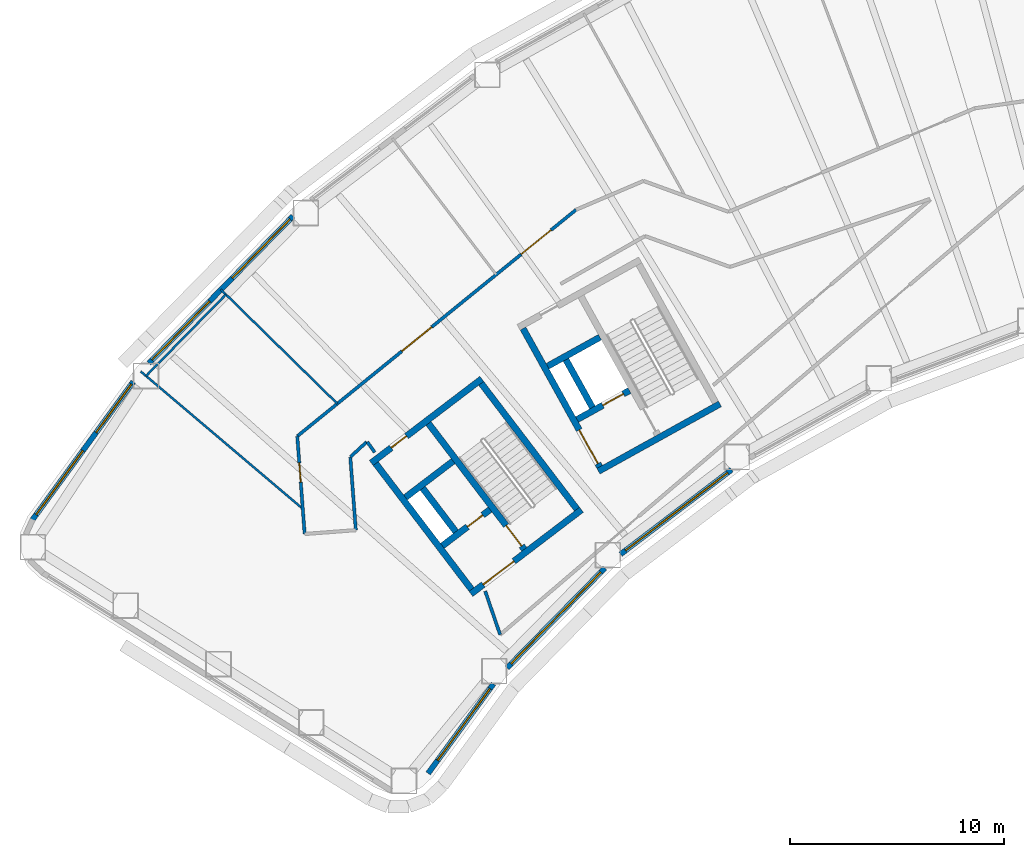
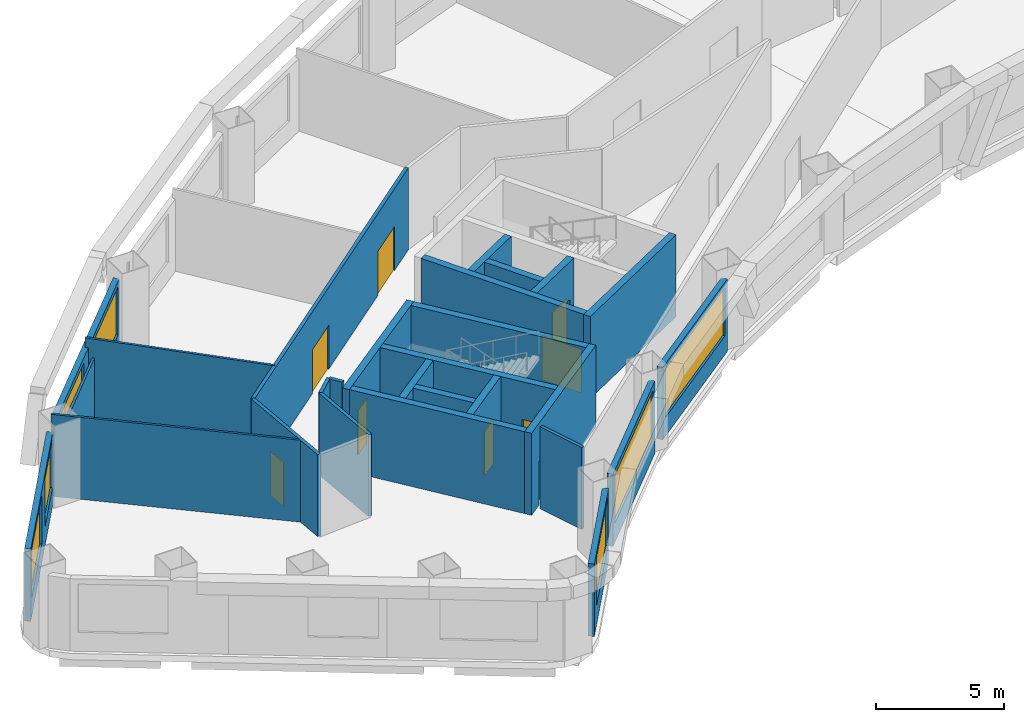
# One storey, part 3 of 11: 27 walls, 9 doors, 7 windows, 16 openings.
"""IFC4 building model written with IfcOpenShell, lengths in metres."""

from ifc_helpers import new_model, si_unit, direction, frame, frame_2d, origin, place, context, subcontext, project, spatial, rectangle, extrude, material, layer, layer_set, type_object, element, fill, save


model = new_model("IFC4")

# Units and contexts
model_context = context("Model", 3, precision=1e-05, world=origin(), true_north=direction((0.0, 1.0)))
body_context = subcontext(model_context, "Body", "Model", "MODEL_VIEW")
ifc_project = project(units=[si_unit("LENGTHUNIT", "METRE"), si_unit("AREAUNIT", "SQUARE_METRE"), si_unit("VOLUMEUNIT", "CUBIC_METRE"), si_unit("PLANEANGLEUNIT", "RADIAN"), si_unit("MASSUNIT", "GRAM", prefix="KILO")], contexts=[model_context])

# Site, building, storey
site_placement = place(None, origin())
site = spatial("IfcSite", under=ifc_project, at=site_placement, CompositionType="ELEMENT")
building_placement = place(site_placement, origin())
building = spatial("IfcBuilding", under=site, at=building_placement, Name="Tuul Gate Civic Tower", CompositionType="ELEMENT")
storey_placement = place(building_placement, frame((0.0, 0.0, 69.60009765625)))
storey = spatial("IfcBuildingStorey", under=building, at=storey_placement, Name="Level 15", CompositionType="ELEMENT", Elevation=69.60009765625)

# Wall, opening, door
ifc_material_1 = material(Name="Concrete C50/60", Category="concrete")
ifc_layer_1 = layer(ifc_material_1, 0.300048828125)
ifc_layer_set_1 = layer_set([ifc_layer_1], Name="Concrete C50/60")
wall_type_1 = type_object("IfcWallType", Name="Core wall C50/60", PredefinedType="SHEAR", material=ifc_layer_set_1)
wall_1_placement = place(storey_placement, frame((-31.19091796875, -13.669677734375, 0.0), z_axis=(0.0, 0.0, 1.0), x_axis=(-0.795606717756, -0.605813461934, 0.0)))
wall_1 = element("IfcWall", 1, at=wall_1_placement, inside=storey, type_object=wall_type_1, Name="Core wall", PredefinedType="SHEAR", context=body_context, shape_type="SweptSolid", body=[
    extrude(rectangle(XDim=6.5, YDim=0.300048828125, at=frame_2d((3.25, 0.0))), origin(), (0.0, 0.0, 1.0), 3.89990234375),
])
opening_1_placement = place(wall_1_placement, frame((3.97509765625, 0.0, 0.0)))
opening_1 = element("IfcOpeningElement", 2, at=opening_1_placement, cuts=wall_1, Name="Opening LB-W1-LOBBY-1", PredefinedType="OPENING", context=body_context, shape_type="SweptSolid", body=[
    extrude(rectangle(XDim=1.800048828125, YDim=2.10009765625, at=frame_2d((0.89990234375, 1.050048828125))), frame((0.0, 0.16015625, 0.0), z_axis=(0.0, -1.0, 0.0), x_axis=(1.0, 0.0, 0.0)), (0.0, 0.0, 1.0), 0.320068359375),
])
ifc_material_2 = material(Name="Steel", Category="steel")
door_type_1 = type_object("IfcDoorType", Name="Lobby door", OperationType="DOUBLE_DOOR_SINGLE_SWING", PredefinedType="DOOR", material=ifc_material_2)
door_1_placement = place(opening_1_placement, origin())
door_1 = element("IfcDoor", 3, at=door_1_placement, inside=storey, type_object=door_type_1, Name="Lobby door W1-LOBBY", OperationType="DOUBLE_DOOR_SINGLE_SWING", OverallHeight=2.10009765625, OverallWidth=1.800048828125, PredefinedType="DOOR", context=body_context, shape_type="SweptSolid", body=[
    extrude(rectangle(XDim=1.800048828125, YDim=2.10009765625, at=frame_2d((0.89990234375, 1.050048828125))), frame((0.0, 0.02490234375, 0.0), z_axis=(0.0, -1.0, 0.0), x_axis=(1.0, 0.0, 0.0)), (0.0, 0.0, 1.0), 0.050048828125),
])
fill(opening_1, door_1)

wall_2_placement = place(storey_placement, frame((-35.470947265625, -13.66064453125, 0.0), z_axis=(0.0, 0.0, 1.0), x_axis=(-0.795615822227, -0.605801504968, 0.0)))
wall_2 = element("IfcWall", 4, at=wall_2_placement, inside=storey, type_object=wall_type_1, Name="Core wall", PredefinedType="SHEAR", context=body_context, shape_type="SweptSolid", body=[
    extrude(rectangle(XDim=2.800048828125, YDim=0.300048828125, at=frame_2d((1.39990234375, 0.0))), origin(), (0.0, 0.0, 1.0), 3.89990234375),
])
opening_2_placement = place(wall_2_placement, frame((0.425048828125, 0.0, 0.0)))
opening_2 = element("IfcOpeningElement", 5, at=opening_2_placement, cuts=wall_2, Name="Opening FB-W1A1", PredefinedType="OPENING", context=body_context, shape_type="SweptSolid", body=[
    extrude(rectangle(XDim=0.89990234375, YDim=2.10009765625, at=frame_2d((0.449951171875, 1.050048828125))), frame((0.0, 0.16015625, 0.0), z_axis=(0.0, -1.0, 0.0), x_axis=(1.0, 0.0, 0.0)), (0.0, 0.0, 1.0), 0.320068359375),
])
ifc_material_3 = material(Name="Steel", Category="steel")
door_type_2 = type_object("IfcDoorType", Name="Store door", OperationType="NOTDEFINED", PredefinedType="DOOR", material=ifc_material_3)
door_2_placement = place(opening_2_placement, frame((0.89990234375, 0.0, 0.0), z_axis=(0.0, 0.0, 1.0), x_axis=(-1.0, 0.0, 0.0)))
door_2 = element("IfcDoor", 6, at=door_2_placement, inside=storey, type_object=door_type_2, Name="Store door W1A1", OperationType="SINGLE_SWING_RIGHT", OverallHeight=2.10009765625, OverallWidth=0.89990234375, PredefinedType="DOOR", context=body_context, shape_type="SweptSolid", body=[
    extrude(rectangle(XDim=0.89990234375, YDim=2.10009765625, at=frame_2d((0.449951171875, 1.050048828125))), frame((0.0, 0.02490234375, 0.0), z_axis=(0.0, -1.0, 0.0), x_axis=(1.0, 0.0, 0.0)), (0.0, 0.0, 1.0), 0.050048828125),
])
fill(opening_2, door_2)

# Wall
wall_3_placement = place(storey_placement, frame((-37.197509765625, -11.39306640625, 0.0), z_axis=(0.0, 0.0, 1.0), x_axis=(-0.795583820278, -0.605843531707, 0.0)))
element("IfcWall", 7, at=wall_3_placement, inside=storey, type_object=wall_type_1, Name="Core wall", PredefinedType="SHEAR", context=body_context, shape_type="SweptSolid", body=[
    extrude(rectangle(XDim=2.7998046875, YDim=0.300048828125, at=frame_2d((1.39990234375, 0.0))), origin(), (0.0, 0.0, 1.0), 3.89990234375),
])

# Wall, opening, door
wall_4_placement = place(storey_placement, frame((-35.855224609375, -7.543212890625, 0.0), z_axis=(0.0, 0.0, 1.0), x_axis=(-0.79563860527, -0.605771582202, 0.0)))
wall_4 = element("IfcWall", 8, at=wall_4_placement, inside=storey, type_object=wall_type_1, Name="Core wall", PredefinedType="SHEAR", context=body_context, shape_type="SweptSolid", body=[
    extrude(rectangle(XDim=6.5, YDim=0.300048828125, at=frame_2d((3.25, 0.0))), origin(), (0.0, 0.0, 1.0), 3.89990234375),
])
opening_3_placement = place(wall_4_placement, frame((4.425048828125, 0.0, 0.0)))
opening_3 = element("IfcOpeningElement", 9, at=opening_3_placement, cuts=wall_4, Name="Opening D-D22", PredefinedType="OPENING", context=body_context, shape_type="SweptSolid", body=[
    extrude(rectangle(XDim=0.89990234375, YDim=2.10009765625, at=frame_2d((0.449951171875, 1.050048828125))), frame((0.0, 0.16015625, 0.0), z_axis=(0.0, -1.0, 0.0), x_axis=(1.0, 0.0, 0.0)), (0.0, 0.0, 1.0), 0.320068359375),
])
ifc_material_4 = material(Name="Timber door leaf", Category="wood")
door_type_3 = type_object("IfcDoorType", Name="Door D09", OperationType="NOTDEFINED", PredefinedType="DOOR", material=ifc_material_4)
door_3_placement = place(opening_3_placement, origin())
door_3 = element("IfcDoor", 10, at=door_3_placement, inside=storey, type_object=door_type_3, Name="Door D-D22", OperationType="SINGLE_SWING_LEFT", OverallHeight=2.10009765625, OverallWidth=0.89990234375, PredefinedType="DOOR", context=body_context, shape_type="SweptSolid", body=[
    extrude(rectangle(XDim=0.89990234375, YDim=2.10009765625, at=frame_2d((0.449951171875, 1.050048828125))), frame((0.0, 0.02490234375, 0.0), z_axis=(0.0, -1.0, 0.0), x_axis=(1.0, 0.0, 0.0)), (0.0, 0.0, 1.0), 0.050048828125),
])
fill(opening_3, door_3)

# Wall
wall_5_placement = place(storey_placement, frame((-31.401123046875, -13.64111328125, 0.0), z_axis=(0.0, 0.0, 1.0), x_axis=(-0.605769822278, 0.795639945213, 0.0)))
element("IfcWall", 11, at=wall_5_placement, inside=storey, type_object=wall_type_1, Name="Core wall", PredefinedType="SHEAR", context=body_context, shape_type="SweptSolid", body=[
    extrude(rectangle(XDim=7.39990234375, YDim=0.300048828125, at=frame_2d((3.699951171875, 0.0))), origin(), (0.0, 0.0, 1.0), 3.89990234375),
])

# Wall, opening, door
wall_6_placement = place(storey_placement, frame((-33.867431640625, -15.51904296875, 0.0), z_axis=(0.0, 0.0, 1.0), x_axis=(-0.605769822278, 0.795639945213, 0.0)))
wall_6 = element("IfcWall", 12, at=wall_6_placement, inside=storey, type_object=wall_type_1, Name="Core wall", PredefinedType="SHEAR", context=body_context, shape_type="SweptSolid", body=[
    extrude(rectangle(XDim=7.39990234375, YDim=0.300048828125, at=frame_2d((3.699951171875, 0.0))), origin(), (0.0, 0.0, 1.0), 3.89990234375),
])
opening_4_placement = place(wall_6_placement, frame((0.199951171875, 0.0, 0.0)))
opening_4 = element("IfcOpeningElement", 13, at=opening_4_placement, cuts=wall_6, Name="Opening SD-ST-1", PredefinedType="OPENING", context=body_context, shape_type="SweptSolid", body=[
    extrude(rectangle(XDim=1.199951171875, YDim=2.10009765625, at=frame_2d((0.60009765625, 1.050048828125))), frame((0.0, 0.16015625, 0.0), z_axis=(0.0, -1.0, 0.0), x_axis=(1.0, 0.0, 0.0)), (0.0, 0.0, 1.0), 0.320068359375),
])
ifc_material_5 = material(Name="Steel", Category="steel")
door_type_4 = type_object("IfcDoorType", Name="Stair door", OperationType="NOTDEFINED", PredefinedType="DOOR", material=ifc_material_5)
door_4_placement = place(opening_4_placement, origin())
door_4 = element("IfcDoor", 14, at=door_4_placement, inside=storey, type_object=door_type_4, Name="Stair door ST-1", OperationType="SINGLE_SWING_LEFT", OverallHeight=2.10009765625, OverallWidth=1.199951171875, PredefinedType="DOOR", context=body_context, shape_type="SweptSolid", body=[
    extrude(rectangle(XDim=1.199951171875, YDim=2.10009765625, at=frame_2d((0.60009765625, 1.050048828125))), frame((0.0, 0.02490234375, 0.0), z_axis=(0.0, -1.0, 0.0), x_axis=(1.0, 0.0, 0.0)), (0.0, 0.0, 1.0), 0.050048828125),
])
fill(opening_4, door_4)

# Walls
wall_7_placement = place(storey_placement, frame((-37.073486328125, -14.6923828125, 0.0), z_axis=(0.0, 0.0, 1.0), x_axis=(-0.605728760074, 0.79567120673, 0.0)))
element("IfcWall", 15, at=wall_7_placement, inside=storey, type_object=wall_type_1, Name="Core wall", PredefinedType="SHEAR", context=body_context, shape_type="SweptSolid", body=[
    extrude(rectangle(XDim=2.550048828125, YDim=0.300048828125, at=frame_2d((1.27490234375, 0.0))), origin(), (0.0, 0.0, 1.0), 3.89990234375),
])
wall_8_placement = place(storey_placement, frame((-36.333984375, -17.397216796875, 0.0), z_axis=(0.0, 0.0, 1.0), x_axis=(-0.605753921168, 0.795652051458, 0.0)))
element("IfcWall", 16, at=wall_8_placement, inside=storey, type_object=wall_type_1, Name="Core wall", PredefinedType="SHEAR", context=body_context, shape_type="SweptSolid", body=[
    extrude(rectangle(XDim=7.400146484375, YDim=0.300048828125, at=frame_2d((3.7001953125, 0.0))), origin(), (0.0, 0.0, 1.0), 3.89990234375),
])
wall_9_placement = place(storey_placement, frame((-24.711669921875, -8.7158203125, 0.0), z_axis=(0.0, 0.0, 1.0), x_axis=(-0.874629909008, -0.484791215132, 0.0)))
element("IfcWall", 17, at=wall_9_placement, inside=storey, type_object=wall_type_1, Name="Core wall", PredefinedType="SHEAR", context=body_context, shape_type="SweptSolid", body=[
    extrude(rectangle(XDim=6.5, YDim=0.300048828125, at=frame_2d((3.25, 0.0))), origin(), (0.0, 0.0, 1.0), 3.89990234375),
])

# Wall, opening, door
wall_10_placement = place(storey_placement, frame((-28.94580078125, -8.090087890625, 0.0), z_axis=(0.0, 0.0, 1.0), x_axis=(-0.874629840737, -0.484791338301, 0.0)))
wall_10 = element("IfcWall", 18, at=wall_10_placement, inside=storey, type_object=wall_type_1, Name="Core wall", PredefinedType="SHEAR", context=body_context, shape_type="SweptSolid", body=[
    extrude(rectangle(XDim=2.800048828125, YDim=0.300048828125, at=frame_2d((1.39990234375, 0.0))), origin(), (0.0, 0.0, 1.0), 3.89990234375),
])
opening_5_placement = place(wall_10_placement, frame((0.324951171875, 0.0, 0.0)))
opening_5 = element("IfcOpeningElement", 19, at=opening_5_placement, cuts=wall_10, Name="Opening LD-FF-1", PredefinedType="OPENING", context=body_context, shape_type="SweptSolid", body=[
    extrude(rectangle(XDim=1.10009765625, YDim=2.10009765625, at=frame_2d((0.550048828125, 1.050048828125))), frame((0.0, 0.16015625, 0.0), z_axis=(0.0, -1.0, 0.0), x_axis=(1.0, 0.0, 0.0)), (0.0, 0.0, 1.0), 0.320068359375),
])
ifc_material_6 = material(Name="Stainless steel", Category="steel")
door_type_5 = type_object("IfcDoorType", Name="Landing door", OperationType="DOUBLE_DOOR_SLIDING", PredefinedType="DOOR", material=ifc_material_6)
door_5_placement = place(opening_5_placement, origin())
door_5 = element("IfcDoor", 20, at=door_5_placement, inside=storey, type_object=door_type_5, Name="Fire-fighting lift FF-1 landing door", OperationType="DOUBLE_DOOR_SLIDING", OverallHeight=2.10009765625, OverallWidth=1.10009765625, PredefinedType="DOOR", context=body_context, shape_type="SweptSolid", body=[
    extrude(rectangle(XDim=1.10009765625, YDim=2.10009765625, at=frame_2d((0.550048828125, 1.050048828125))), frame((0.0, 0.02490234375, 0.0), z_axis=(0.0, -1.0, 0.0), x_axis=(1.0, 0.0, 0.0)), (0.0, 0.0, 1.0), 0.050048828125),
])
fill(opening_5, door_5)

# Walls
wall_11_placement = place(storey_placement, frame((-30.327392578125, -5.59716796875, 0.0), z_axis=(0.0, 0.0, 1.0), x_axis=(-0.874629840737, -0.484791338301, 0.0)))
element("IfcWall", 21, at=wall_11_placement, inside=storey, type_object=wall_type_1, Name="Core wall", PredefinedType="SHEAR", context=body_context, shape_type="SweptSolid", body=[
    extrude(rectangle(XDim=2.800048828125, YDim=0.300048828125, at=frame_2d((1.39990234375, 0.0))), origin(), (0.0, 0.0, 1.0), 3.89990234375),
])
wall_12_placement = place(storey_placement, frame((-30.680419921875, -8.8798828125, 0.0), z_axis=(0.0, 0.0, 1.0), x_axis=(-0.484724115216, 0.874667097888, 0.0)))
element("IfcWall", 22, at=wall_12_placement, inside=storey, type_object=wall_type_1, Name="Core wall", PredefinedType="SHEAR", context=body_context, shape_type="SweptSolid", body=[
    extrude(rectangle(XDim=2.550048828125, YDim=0.300048828125, at=frame_2d((1.27490234375, 0.0))), origin(), (0.0, 0.0, 1.0), 3.89990234375),
])

# Wall, opening, door
wall_13_placement = place(storey_placement, frame((-30.33837890625, -11.6630859375, 0.0), z_axis=(0.0, 0.0, 1.0), x_axis=(-0.484751894226, 0.874651702704, 0.0)))
wall_13 = element("IfcWall", 23, at=wall_13_placement, inside=storey, type_object=wall_type_1, Name="Core wall", PredefinedType="SHEAR", context=body_context, shape_type="SweptSolid", body=[
    extrude(rectangle(XDim=7.39990234375, YDim=0.300048828125, at=frame_2d((3.699951171875, 0.0))), origin(), (0.0, 0.0, 1.0), 3.89990234375),
])
opening_6_placement = place(wall_13_placement, frame((0.175048828125, 0.0, 0.0)))
opening_6 = element("IfcOpeningElement", 24, at=opening_6_placement, cuts=wall_13, Name="Opening LB-W2-FLOBBY-1", PredefinedType="OPENING", context=body_context, shape_type="SweptSolid", body=[
    extrude(rectangle(XDim=1.800048828125, YDim=2.10009765625, at=frame_2d((0.89990234375, 1.050048828125))), frame((0.0, 0.16015625, 0.0), z_axis=(0.0, -1.0, 0.0), x_axis=(1.0, 0.0, 0.0)), (0.0, 0.0, 1.0), 0.320068359375),
])
door_6_placement = place(opening_6_placement, origin())
door_6 = element("IfcDoor", 25, at=door_6_placement, inside=storey, type_object=door_type_1, Name="Lobby door W2-FLOBBY", OperationType="DOUBLE_DOOR_SINGLE_SWING", OverallHeight=2.10009765625, OverallWidth=1.800048828125, PredefinedType="DOOR", context=body_context, shape_type="SweptSolid", body=[
    extrude(rectangle(XDim=1.800048828125, YDim=2.10009765625, at=frame_2d((0.89990234375, 1.050048828125))), frame((0.0, 0.02490234375, 0.0), z_axis=(0.0, -1.0, 0.0), x_axis=(1.0, 0.0, 0.0)), (0.0, 0.0, 1.0), 0.050048828125),
])
fill(opening_6, door_6)

# Wall, openings, doors
ifc_material_7 = material(Name="Gypsum board partition")
ifc_layer_2 = layer(ifc_material_7, 0.14990234375)
ifc_layer_set_2 = layer_set([ifc_layer_2], Name="Gypsum board partition")
wall_type_2 = type_object("IfcWallType", Name="Corridor wall P150", PredefinedType="PARTITIONING", material=ifc_layer_set_2)
wall_14_placement = place(storey_placement, frame((-44.48828125, -10.22802734375, 0.0), z_axis=(0.0, 0.0, 1.0), x_axis=(0.776130444, 0.630572385929, 0.0)))
wall_14 = element("IfcWall", 26, at=wall_14_placement, inside=storey, type_object=wall_type_2, Name="p034", PredefinedType="PARTITIONING", context=body_context, shape_type="SweptSolid", body=[
    extrude(rectangle(XDim=16.802978515625, YDim=0.14990234375, at=frame_2d((8.4013671875, 0.0))), origin(), (0.0, 0.0, 1.0), 3.89990234375),
])
opening_7_placement = place(wall_14_placement, frame((13.49609375, 0.0, 0.0)))
opening_7 = element("IfcOpeningElement", 27, at=opening_7_placement, cuts=wall_14, Name="Opening D-D10", PredefinedType="OPENING", context=body_context, shape_type="SweptSolid", body=[
    extrude(rectangle(XDim=1.800048828125, YDim=2.10009765625, at=frame_2d((0.89990234375, 1.050048828125))), frame((0.0, 0.0849609375, 0.0), z_axis=(0.0, -1.0, 0.0), x_axis=(1.0, 0.0, 0.0)), (0.0, 0.0, 1.0), 0.169921875),
])
opening_8_placement = place(wall_14_placement, frame((6.3017578125, 0.0, 0.0)))
opening_8 = element("IfcOpeningElement", 28, at=opening_8_placement, cuts=wall_14, Name="Opening D-D11", PredefinedType="OPENING", context=body_context, shape_type="SweptSolid", body=[
    extrude(rectangle(XDim=1.800048828125, YDim=2.10009765625, at=frame_2d((0.89990234375, 1.050048828125))), frame((0.0, 0.0849609375, 0.0), z_axis=(0.0, -1.0, 0.0), x_axis=(1.0, 0.0, 0.0)), (0.0, 0.0, 1.0), 0.169921875),
])
ifc_material_8 = material(Name="Timber door leaf, double", Category="wood")
door_type_6 = type_object("IfcDoorType", Name="Door D18", OperationType="DOUBLE_DOOR_SINGLE_SWING", PredefinedType="DOOR", material=ifc_material_8)
door_7_placement = place(opening_7_placement, origin())
door_7 = element("IfcDoor", 29, at=door_7_placement, inside=storey, type_object=door_type_6, Name="Door D-D10", OperationType="DOUBLE_DOOR_SINGLE_SWING", OverallHeight=2.10009765625, OverallWidth=1.800048828125, PredefinedType="DOOR", context=body_context, shape_type="SweptSolid", body=[
    extrude(rectangle(XDim=1.800048828125, YDim=2.10009765625, at=frame_2d((0.89990234375, 1.050048828125))), frame((0.0, 0.02490234375, 0.0), z_axis=(0.0, -1.0, 0.0), x_axis=(1.0, 0.0, 0.0)), (0.0, 0.0, 1.0), 0.050048828125),
])
fill(opening_7, door_7)
door_8_placement = place(opening_8_placement, origin())
door_8 = element("IfcDoor", 30, at=door_8_placement, inside=storey, type_object=door_type_6, Name="Door D-D11", OperationType="DOUBLE_DOOR_SINGLE_SWING", OverallHeight=2.10009765625, OverallWidth=1.800048828125, PredefinedType="DOOR", context=body_context, shape_type="SweptSolid", body=[
    extrude(rectangle(XDim=1.800048828125, YDim=2.10009765625, at=frame_2d((0.89990234375, 1.050048828125))), frame((0.0, 0.02490234375, 0.0), z_axis=(0.0, -1.0, 0.0), x_axis=(1.0, 0.0, 0.0)), (0.0, 0.0, 1.0), 0.050048828125),
])
fill(opening_8, door_8)

# Wall, opening, door
wall_15_placement = place(storey_placement, frame((-44.48876953125, -10.228759765625, 0.0), z_axis=(0.0, 0.0, 1.0), x_axis=(0.075353514001, -0.997156882305, 0.0)))
wall_15 = element("IfcWall", 31, at=wall_15_placement, inside=storey, type_object=wall_type_2, Name="p037", PredefinedType="PARTITIONING", context=body_context, shape_type="SweptSolid", body=[
    extrude(rectangle(XDim=4.587646484375, YDim=0.14990234375, at=frame_2d((2.2939453125, 0.0))), origin(), (0.0, 0.0, 1.0), 3.89990234375),
])
opening_9_placement = place(wall_15_placement, frame((1.252197265625, 0.0, 0.0)))
opening_9 = element("IfcOpeningElement", 32, at=opening_9_placement, cuts=wall_15, Name="Opening D-D12", PredefinedType="OPENING", context=body_context, shape_type="SweptSolid", body=[
    extrude(rectangle(XDim=0.89990234375, YDim=2.10009765625, at=frame_2d((0.449951171875, 1.050048828125))), frame((0.0, 0.0849609375, 0.0), z_axis=(0.0, -1.0, 0.0), x_axis=(1.0, 0.0, 0.0)), (0.0, 0.0, 1.0), 0.169921875),
])
door_9_placement = place(opening_9_placement, frame((0.89990234375, 0.0, 0.0), z_axis=(0.0, 0.0, 1.0), x_axis=(-1.0, 0.0, 0.0)))
door_9 = element("IfcDoor", 33, at=door_9_placement, inside=storey, type_object=door_type_3, Name="Door D-D12", OperationType="SINGLE_SWING_LEFT", OverallHeight=2.10009765625, OverallWidth=0.89990234375, PredefinedType="DOOR", context=body_context, shape_type="SweptSolid", body=[
    extrude(rectangle(XDim=0.89990234375, YDim=2.10009765625, at=frame_2d((0.449951171875, 1.050048828125))), frame((0.0, 0.02490234375, 0.0), z_axis=(0.0, -1.0, 0.0), x_axis=(1.0, 0.0, 0.0)), (0.0, 0.0, 1.0), 0.050048828125),
])
fill(opening_9, door_9)

# Walls
wall_16_placement = place(storey_placement, frame((-42.00732421875, -11.208740234375, 0.0), z_axis=(0.0, 0.0, 1.0), x_axis=(0.075158670827, -0.99717158714, 0.0)))
element("IfcWall", 34, at=wall_16_placement, inside=storey, type_object=wall_type_2, Name="p052", PredefinedType="PARTITIONING", context=body_context, shape_type="SweptSolid", body=[
    extrude(rectangle(XDim=3.423828125, YDim=0.14990234375, at=frame_2d((1.7119140625, 0.0))), origin(), (0.0, 0.0, 1.0), 3.89990234375),
])
wall_17_placement = place(storey_placement, frame((-42.001220703125, -11.196533203125, 0.0), z_axis=(0.0, 0.0, 1.0), x_axis=(0.734125855073, 0.67901342322, 0.0)))
element("IfcWall", 35, at=wall_17_placement, inside=storey, type_object=wall_type_2, Name="p053", PredefinedType="PARTITIONING", context=body_context, shape_type="SweptSolid", body=[
    extrude(rectangle(XDim=1.03662109375, YDim=0.14990234375, at=frame_2d((0.518310546875, 0.0))), origin(), (0.0, 0.0, 1.0), 3.89990234375),
])
wall_18_placement = place(storey_placement, frame((-41.210205078125, -10.49560546875, 0.0), z_axis=(0.0, 0.0, 1.0), x_axis=(0.577664654884, -0.816274185858, 0.0)))
element("IfcWall", 36, at=wall_18_placement, inside=storey, type_object=wall_type_2, Name="p054", PredefinedType="PARTITIONING", context=body_context, shape_type="SweptSolid", body=[
    extrude(rectangle(XDim=0.595458984375, YDim=0.14990234375, at=frame_2d((0.2978515625, 0.0))), origin(), (0.0, 0.0, 1.0), 3.89990234375),
])
wall_19_placement = place(storey_placement, frame((-35.69580078125, -17.476806640625, 0.0), z_axis=(0.0, 0.0, 1.0), x_axis=(0.32436774189, -0.94593105881, 0.0)))
element("IfcWall", 37, at=wall_19_placement, inside=storey, type_object=wall_type_2, Name="p055", PredefinedType="PARTITIONING", context=body_context, shape_type="SweptSolid", body=[
    extrude(rectangle(XDim=2.156494140625, YDim=0.14990234375, at=frame_2d((1.078125, 0.0))), origin(), (0.0, 0.0, 1.0), 3.89990234375),
])

# Wall, openings, windows
ifc_material_9 = material(Name="Precast concrete C40/50", Category="concrete")
ifc_layer_3 = layer(ifc_material_9, 0.25)
ifc_layer_set_3 = layer_set([ifc_layer_3], Name="Precast concrete C40/50")
wall_type_3 = type_object("IfcWallType", Name="External wall", PredefinedType="STANDARD", material=ifc_layer_set_3)
wall_20_placement = place(storey_placement, frame((-44.68896484375, 0.068359375, 0.0), z_axis=(0.0, 0.0, 1.0), x_axis=(-0.700037194481, -0.714106383072, 0.0)))
wall_20 = element("IfcWall", 38, at=wall_20_placement, inside=storey, type_object=wall_type_3, Name="External wall", PredefinedType="STANDARD", context=body_context, shape_type="SweptSolid", body=[
    extrude(rectangle(XDim=9.630859375, YDim=0.25, at=frame_2d((4.8154296875, 0.0))), origin(), (0.0, 0.0, 1.0), 3.449951171875),
])
opening_10_placement = place(wall_20_placement, frame((0.203125, 0.0, 0.89990234375)))
opening_10 = element("IfcOpeningElement", 39, at=opening_10_placement, cuts=wall_20, Name="Opening W22", PredefinedType="OPENING", context=body_context, shape_type="SweptSolid", body=[
    extrude(rectangle(XDim=3.85009765625, YDim=2.300048828125, at=frame_2d((1.925048828125, 1.14990234375))), frame((0.0, 0.135009765625, 0.0), z_axis=(0.0, -1.0, 0.0), x_axis=(1.0, 0.0, 0.0)), (0.0, 0.0, 1.0), 0.27001953125),
])
opening_11_placement = place(wall_20_placement, frame((5.57421875, 0.0, 0.89990234375)))
opening_11 = element("IfcOpeningElement", 40, at=opening_11_placement, cuts=wall_20, Name="Opening W22", PredefinedType="OPENING", context=body_context, shape_type="SweptSolid", body=[
    extrude(rectangle(XDim=3.85009765625, YDim=2.300048828125, at=frame_2d((1.925048828125, 1.14990234375))), frame((0.0, 0.135009765625, 0.0), z_axis=(0.0, -1.0, 0.0), x_axis=(1.0, 0.0, 0.0)), (0.0, 0.0, 1.0), 0.27001953125),
])
ifc_material_10 = material(Name="Glass", Category="glass")
window_type_1 = type_object("IfcWindowType", Name="Window W22 3850 x 2300", PartitioningType="SINGLE_PANEL", PredefinedType="WINDOW", material=ifc_material_10)
window_1_placement = place(opening_10_placement, origin())
window_1 = element("IfcWindow", 41, at=window_1_placement, inside=storey, type_object=window_type_1, Name="Window", OverallHeight=2.300048828125, OverallWidth=3.85009765625, PartitioningType="SINGLE_PANEL", PredefinedType="WINDOW", context=body_context, shape_type="SweptSolid", body=[
    extrude(rectangle(XDim=3.85009765625, YDim=2.300048828125, at=frame_2d((1.925048828125, 1.14990234375))), frame((0.0, 0.030029296875, 0.0), z_axis=(0.0, -1.0, 0.0), x_axis=(1.0, 0.0, 0.0)), (0.0, 0.0, 1.0), 0.06005859375),
])
fill(opening_10, window_1)
window_2_placement = place(opening_11_placement, origin())
window_2 = element("IfcWindow", 42, at=window_2_placement, inside=storey, type_object=window_type_1, Name="Window", OverallHeight=2.300048828125, OverallWidth=3.85009765625, PartitioningType="SINGLE_PANEL", PredefinedType="WINDOW", context=body_context, shape_type="SweptSolid", body=[
    extrude(rectangle(XDim=3.85009765625, YDim=2.300048828125, at=frame_2d((1.925048828125, 1.14990234375))), frame((0.0, 0.030029296875, 0.0), z_axis=(0.0, -1.0, 0.0), x_axis=(1.0, 0.0, 0.0)), (0.0, 0.0, 1.0), 0.06005859375),
])
fill(opening_11, window_2)

wall_21_placement = place(storey_placement, frame((-52.1640625, -7.679443359375, 0.0), z_axis=(0.0, 0.0, 1.0), x_axis=(-0.589758648629, -0.807579554204, 0.0)))
wall_21 = element("IfcWall", 43, at=wall_21_placement, inside=storey, type_object=wall_type_3, Name="External wall", PredefinedType="STANDARD", context=body_context, shape_type="SweptSolid", body=[
    extrude(rectangle(XDim=7.998291015625, YDim=0.25, at=frame_2d((3.9990234375, 0.0))), origin(), (0.0, 0.0, 1.0), 3.449951171875),
])
opening_12_placement = place(wall_21_placement, frame((0.145751953125, 0.0, 0.89990234375)))
opening_12 = element("IfcOpeningElement", 44, at=opening_12_placement, cuts=wall_21, Name="Opening W23", PredefinedType="OPENING", context=body_context, shape_type="SweptSolid", body=[
    extrude(rectangle(XDim=2.800048828125, YDim=2.300048828125, at=frame_2d((1.39990234375, 1.14990234375))), frame((0.0, 0.135009765625, 0.0), z_axis=(0.0, -1.0, 0.0), x_axis=(1.0, 0.0, 0.0)), (0.0, 0.0, 1.0), 0.27001953125),
])
opening_13_placement = place(wall_21_placement, frame((3.997314453125, 0.0, 0.89990234375)))
opening_13 = element("IfcOpeningElement", 45, at=opening_13_placement, cuts=wall_21, Name="Opening W21", PredefinedType="OPENING", context=body_context, shape_type="SweptSolid", body=[
    extrude(rectangle(XDim=3.699951171875, YDim=2.300048828125, at=frame_2d((1.85009765625, 1.14990234375))), frame((0.0, 0.135009765625, 0.0), z_axis=(0.0, -1.0, 0.0), x_axis=(1.0, 0.0, 0.0)), (0.0, 0.0, 1.0), 0.27001953125),
])
ifc_material_11 = material(Name="Glass", Category="glass")
window_type_2 = type_object("IfcWindowType", Name="Window W21 3700 x 2300", PartitioningType="SINGLE_PANEL", PredefinedType="WINDOW", material=ifc_material_11)
window_3_placement = place(opening_13_placement, origin())
window_3 = element("IfcWindow", 46, at=window_3_placement, inside=storey, type_object=window_type_2, Name="Window", OverallHeight=2.300048828125, OverallWidth=3.699951171875, PartitioningType="SINGLE_PANEL", PredefinedType="WINDOW", context=body_context, shape_type="SweptSolid", body=[
    extrude(rectangle(XDim=3.699951171875, YDim=2.300048828125, at=frame_2d((1.85009765625, 1.14990234375))), frame((0.0, 0.030029296875, 0.0), z_axis=(0.0, -1.0, 0.0), x_axis=(1.0, 0.0, 0.0)), (0.0, 0.0, 1.0), 0.06005859375),
])
fill(opening_13, window_3)
ifc_material_12 = material(Name="Glass", Category="glass")
window_type_3 = type_object("IfcWindowType", Name="Window W23 2800 x 2300", PartitioningType="SINGLE_PANEL", PredefinedType="WINDOW", material=ifc_material_12)
window_4_placement = place(opening_12_placement, origin())
window_4 = element("IfcWindow", 47, at=window_4_placement, inside=storey, type_object=window_type_3, Name="Window", OverallHeight=2.300048828125, OverallWidth=2.800048828125, PartitioningType="SINGLE_PANEL", PredefinedType="WINDOW", context=body_context, shape_type="SweptSolid", body=[
    extrude(rectangle(XDim=2.800048828125, YDim=2.300048828125, at=frame_2d((1.39990234375, 1.14990234375))), frame((0.0, 0.030029296875, 0.0), z_axis=(0.0, -1.0, 0.0), x_axis=(1.0, 0.0, 0.0)), (0.0, 0.0, 1.0), 0.06005859375),
])
fill(opening_12, window_4)

# Wall, opening, window
wall_22_placement = place(storey_placement, frame((-38.364990234375, -26.002197265625, 0.0), z_axis=(0.0, 0.0, 1.0), x_axis=(0.589773184558, 0.807568938715, 0.0)))
wall_22 = element("IfcWall", 48, at=wall_22_placement, inside=storey, type_object=wall_type_3, Name="External wall", PredefinedType="STANDARD", context=body_context, shape_type="SweptSolid", body=[
    extrude(rectangle(XDim=5.18115234375, YDim=0.25, at=frame_2d((2.590576171875, 0.0))), origin(), (0.0, 0.0, 1.0), 3.449951171875),
])
opening_14_placement = place(wall_22_placement, frame((0.75244140625, 0.0, 0.89990234375)))
opening_14 = element("IfcOpeningElement", 49, at=opening_14_placement, cuts=wall_22, Name="Opening W25", PredefinedType="OPENING", context=body_context, shape_type="SweptSolid", body=[
    extrude(rectangle(XDim=4.14990234375, YDim=2.300048828125, at=frame_2d((2.074951171875, 1.14990234375))), frame((0.0, 0.135009765625, 0.0), z_axis=(0.0, -1.0, 0.0), x_axis=(1.0, 0.0, 0.0)), (0.0, 0.0, 1.0), 0.27001953125),
])
ifc_material_13 = material(Name="Glass", Category="glass")
window_type_4 = type_object("IfcWindowType", Name="Window W25 4150 x 2300", PartitioningType="SINGLE_PANEL", PredefinedType="WINDOW", material=ifc_material_13)
window_5_placement = place(opening_14_placement, origin())
window_5 = element("IfcWindow", 50, at=window_5_placement, inside=storey, type_object=window_type_4, Name="Window", OverallHeight=2.300048828125, OverallWidth=4.14990234375, PartitioningType="SINGLE_PANEL", PredefinedType="WINDOW", context=body_context, shape_type="SweptSolid", body=[
    extrude(rectangle(XDim=4.14990234375, YDim=2.300048828125, at=frame_2d((2.074951171875, 1.14990234375))), frame((0.0, 0.030029296875, 0.0), z_axis=(0.0, -1.0, 0.0), x_axis=(1.0, 0.0, 0.0)), (0.0, 0.0, 1.0), 0.06005859375),
])
fill(opening_14, window_5)

wall_23_placement = place(storey_placement, frame((-34.673095703125, -21.0693359375, 0.0), z_axis=(0.0, 0.0, 1.0), x_axis=(0.700096771337, 0.714047975114, 0.0)))
wall_23 = element("IfcWall", 51, at=wall_23_placement, inside=storey, type_object=wall_type_3, Name="External wall", PredefinedType="STANDARD", context=body_context, shape_type="SweptSolid", body=[
    extrude(rectangle(XDim=6.544921875, YDim=0.25, at=frame_2d((3.2724609375, 0.0))), origin(), (0.0, 0.0, 1.0), 3.449951171875),
])
opening_15_placement = place(wall_23_placement, frame((0.269775390625, 0.0, 0.89990234375)))
opening_15 = element("IfcOpeningElement", 52, at=opening_15_placement, cuts=wall_23, Name="Opening W26", PredefinedType="OPENING", context=body_context, shape_type="SweptSolid", body=[
    extrude(rectangle(XDim=6.0, YDim=2.300048828125, at=frame_2d((3.0, 1.14990234375))), frame((0.0, 0.135009765625, 0.0), z_axis=(0.0, -1.0, 0.0), x_axis=(1.0, 0.0, 0.0)), (0.0, 0.0, 1.0), 0.27001953125),
])
ifc_material_14 = material(Name="Glass", Category="glass")
window_type_5 = type_object("IfcWindowType", Name="Window W26 6000 x 2300", PartitioningType="SINGLE_PANEL", PredefinedType="WINDOW", material=ifc_material_14)
window_6_placement = place(opening_15_placement, origin())
window_6 = element("IfcWindow", 53, at=window_6_placement, inside=storey, type_object=window_type_5, Name="Window", OverallHeight=2.300048828125, OverallWidth=6.0, PartitioningType="SINGLE_PANEL", PredefinedType="WINDOW", context=body_context, shape_type="SweptSolid", body=[
    extrude(rectangle(XDim=6.0, YDim=2.300048828125, at=frame_2d((3.0, 1.14990234375))), frame((0.0, 0.030029296875, 0.0), z_axis=(0.0, -1.0, 0.0), x_axis=(1.0, 0.0, 0.0)), (0.0, 0.0, 1.0), 0.06005859375),
])
fill(opening_15, window_6)

wall_24_placement = place(storey_placement, frame((-29.35791015625, -15.747802734375, 0.0), z_axis=(0.0, 0.0, 1.0), x_axis=(0.7955846747, 0.605842409694, 0.0)))
wall_24 = element("IfcWall", 54, at=wall_24_placement, inside=storey, type_object=wall_type_3, Name="External wall", PredefinedType="STANDARD", context=body_context, shape_type="SweptSolid", body=[
    extrude(rectangle(XDim=6.52099609375, YDim=0.25, at=frame_2d((3.260498046875, 0.0))), origin(), (0.0, 0.0, 1.0), 3.449951171875),
])
opening_16_placement = place(wall_24_placement, frame((0.28857421875, 0.0, 0.89990234375)))
opening_16 = element("IfcOpeningElement", 55, at=opening_16_placement, cuts=wall_24, Name="Opening W26", PredefinedType="OPENING", context=body_context, shape_type="SweptSolid", body=[
    extrude(rectangle(XDim=6.0, YDim=2.300048828125, at=frame_2d((3.0, 1.14990234375))), frame((0.0, 0.135009765625, 0.0), z_axis=(0.0, -1.0, 0.0), x_axis=(1.0, 0.0, 0.0)), (0.0, 0.0, 1.0), 0.27001953125),
])
window_7_placement = place(opening_16_placement, origin())
window_7 = element("IfcWindow", 56, at=window_7_placement, inside=storey, type_object=window_type_5, Name="Window", OverallHeight=2.300048828125, OverallWidth=6.0, PartitioningType="SINGLE_PANEL", PredefinedType="WINDOW", context=body_context, shape_type="SweptSolid", body=[
    extrude(rectangle(XDim=6.0, YDim=2.300048828125, at=frame_2d((3.0, 1.14990234375))), frame((0.0, 0.030029296875, 0.0), z_axis=(0.0, -1.0, 0.0), x_axis=(1.0, 0.0, 0.0)), (0.0, 0.0, 1.0), 0.06005859375),
])
fill(opening_16, window_7)

# Walls
ifc_material_15 = material(Name="Gypsum board partition")
ifc_layer_4 = layer(ifc_material_15, 0.10009765625)
ifc_layer_set_4 = layer_set([ifc_layer_4], Name="Gypsum board partition")
wall_type_4 = type_object("IfcWallType", Name="Partition P100", PredefinedType="PARTITIONING", material=ifc_layer_set_4)
wall_25_placement = place(storey_placement, frame((-48.062255859375, -3.365478515625, 0.0), z_axis=(0.0, 0.0, 1.0), x_axis=(0.714128361673, -0.700014773455, 0.0)))
element("IfcWall", 57, at=wall_25_placement, inside=storey, type_object=wall_type_4, Name="p035", PredefinedType="PARTITIONING", context=body_context, shape_type="SweptSolid", body=[
    extrude(rectangle(XDim=7.62841796875, YDim=0.10009765625, at=frame_2d((3.814208984375, 0.0))), origin(), (0.0, 0.0, 1.0), 3.89990234375),
])
wall_26_placement = place(storey_placement, frame((-51.81640625, -7.19482421875, 0.0), z_axis=(0.0, 0.0, 1.0), x_axis=(0.762828056361, -0.646601389133, 0.0)))
element("IfcWall", 58, at=wall_26_placement, inside=storey, type_object=wall_type_4, Name="p036", PredefinedType="PARTITIONING", context=body_context, shape_type="SweptSolid", body=[
    extrude(rectangle(XDim=9.94189453125, YDim=0.10009765625, at=frame_2d((4.970947265625, 0.0))), origin(), (0.0, 0.0, 1.0), 3.89990234375),
])
ifc_material_16 = material(Name="Gypsum board partition")
ifc_layer_5 = layer(ifc_material_16, 0.10009765625)
ifc_layer_set_5 = layer_set([ifc_layer_5], Name="Gypsum board partition")
wall_type_5 = type_object("IfcWallType", Name="Partition P100 3000 HIGH", PredefinedType="PARTITIONING", material=ifc_layer_set_5)
wall_27_placement = place(storey_placement, frame((-51.563720703125, -7.40869140625, 0.0), z_axis=(0.0, 0.0, 1.0), x_axis=(0.700052207362, 0.714091665662, 0.0)))
element("IfcWall", 59, at=wall_27_placement, inside=storey, type_object=wall_type_5, Name="p065", PredefinedType="PARTITIONING", context=body_context, shape_type="SweptSolid", body=[
    extrude(rectangle(XDim=5.338623046875, YDim=0.10009765625, at=frame_2d((2.66943359375, 0.0))), origin(), (0.0, 0.0, 1.0), 3.0),
])

save(model, "model.ifc")
